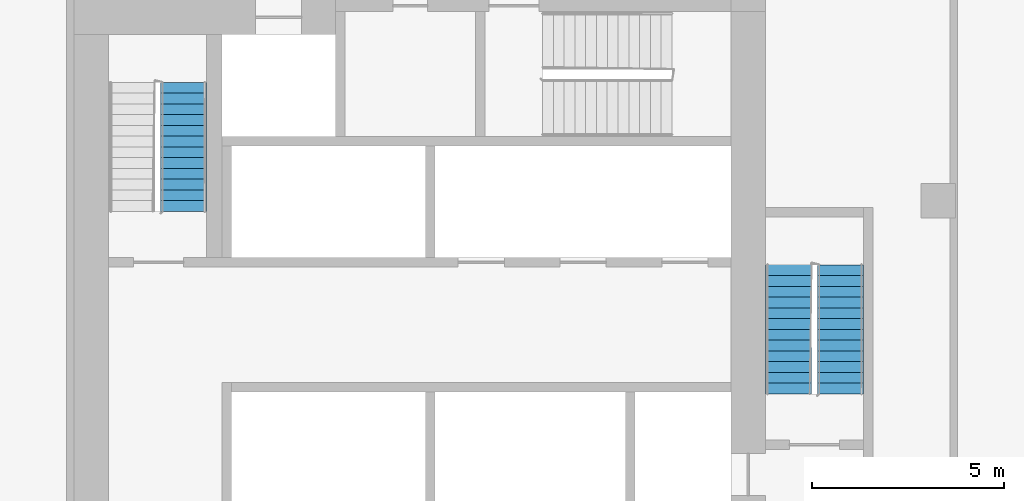
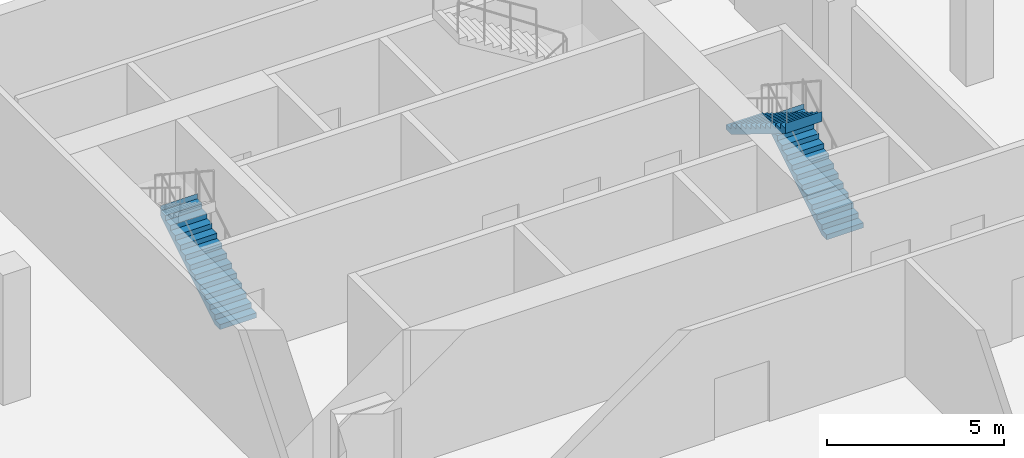
# One storey, part 15 of 19: 3 stair flights, 2 elements without a shape of their own.
"""IFC4 building model written with IfcOpenShell, lengths in metres."""

from ifc_helpers import new_model, si_unit, direction, frame, origin, place, context, subcontext, project, spatial, faceted_brep, material, type_object, element, aggregate, save


model = new_model("IFC4")

# Units and contexts
model_context = context("Model", 3, precision=1e-05, world=origin(), true_north=direction((0.0, 1.0)))
body_context = subcontext(model_context, "Body", "Model", "MODEL_VIEW")
ifc_project = project(units=[si_unit("LENGTHUNIT", "METRE"), si_unit("AREAUNIT", "SQUARE_METRE"), si_unit("VOLUMEUNIT", "CUBIC_METRE"), si_unit("PLANEANGLEUNIT", "RADIAN"), si_unit("MASSUNIT", "GRAM", prefix="KILO")], contexts=[model_context])

# Site, building, storey
site_placement = place(None, origin())
site = spatial("IfcSite", under=ifc_project, at=site_placement, CompositionType="ELEMENT")
building_placement = place(site_placement, origin())
building = spatial("IfcBuilding", under=site, at=building_placement, Name="Kajstack Hotel Tower", CompositionType="ELEMENT")
storey_placement = place(building_placement, frame((0.0, 0.0, 33.5)))
storey = spatial("IfcBuildingStorey", under=building, at=storey_placement, Name="L05", CompositionType="ELEMENT", Elevation=33.5)

# Stair, stair flights
ifc_material = material(Name="Concrete C40/50", Category="concrete")
stair_type = type_object("IfcStairType", Name="Exit stair 1200", PredefinedType="HALF_TURN_STAIR", material=ifc_material)
stair_1_placement = place(storey_placement, origin())
stair_1 = element("IfcStair", 1, at=stair_1_placement, inside=storey, type_object=stair_type, Name="L05 stair E1", PredefinedType="HALF_TURN_STAIR")
stair_flight_type = type_object("IfcStairFlightType", Name="Exit stair flight 1200", PredefinedType="STRAIGHT", material=ifc_material)
stair_flight_1_placement = place(storey_placement, frame((33.449951171875, 5.25, 0.0), z_axis=(0.0, 0.0, 1.0), x_axis=(0.0, 1.0, 0.0)))
stair_flight_1 = element("IfcStairFlight", 2, at=stair_flight_1_placement, type_object=stair_flight_type, Name="E1 flight 1", NumberOfRisers=13, NumberOfTreads=12, PredefinedType="STRAIGHT", RiserHeight=0.173076923, TreadLength=0.28, context=body_context, shape_type="Brep", body=[
    faceted_brep([(0.28564453125, -0.60009765625, 0.0), (3.360595703125, -0.60009765625, 1.900634765625), (3.360595703125, -0.60009765625, 2.25), (3.360107421875, -0.60009765625, 2.25), (3.360107421875, -0.60009765625, 2.076904296875), (3.080078125, -0.60009765625, 2.076904296875), (3.080078125, -0.60009765625, 1.90380859375), (2.800048828125, -0.60009765625, 1.90380859375), (2.800048828125, -0.60009765625, 1.730712890625), (2.52001953125, -0.60009765625, 1.730712890625), (2.52001953125, -0.60009765625, 1.5576171875), (2.239990234375, -0.60009765625, 1.5576171875), (2.239990234375, -0.60009765625, 1.384521484375), (1.9599609375, -0.60009765625, 1.384521484375), (1.9599609375, -0.60009765625, 1.21142578125), (1.679931640625, -0.60009765625, 1.21142578125), (1.679931640625, -0.60009765625, 1.03857421875), (1.39990234375, -0.60009765625, 1.03857421875), (1.39990234375, -0.60009765625, 0.865478515625), (1.1201171875, -0.60009765625, 0.865478515625), (1.1201171875, -0.60009765625, 0.6923828125), (0.840087890625, -0.60009765625, 0.6923828125), (0.840087890625, -0.60009765625, 0.519287109375), (0.56005859375, -0.60009765625, 0.519287109375), (0.56005859375, -0.60009765625, 0.34619140625), (0.280029296875, -0.60009765625, 0.34619140625), (0.280029296875, -0.60009765625, 0.173095703125), (-0.00048828125, -0.60009765625, 0.173095703125), (-0.00048828125, -0.60009765625, 0.0), (-0.00048828125, 0.60009765625, 0.0), (-0.00048828125, 0.60009765625, 0.173095703125), (0.280029296875, 0.60009765625, 0.173095703125), (0.280029296875, 0.60009765625, 0.34619140625), (0.56005859375, 0.60009765625, 0.34619140625), (0.56005859375, 0.60009765625, 0.519287109375), (0.840087890625, 0.60009765625, 0.519287109375), (0.840087890625, 0.60009765625, 0.6923828125), (1.1201171875, 0.60009765625, 0.6923828125), (1.1201171875, 0.60009765625, 0.865478515625), (1.39990234375, 0.60009765625, 0.865478515625), (1.39990234375, 0.60009765625, 1.03857421875), (1.679931640625, 0.60009765625, 1.03857421875), (1.679931640625, 0.60009765625, 1.21142578125), (1.9599609375, 0.60009765625, 1.21142578125), (1.9599609375, 0.60009765625, 1.384521484375), (2.239990234375, 0.60009765625, 1.384521484375), (2.239990234375, 0.60009765625, 1.5576171875), (2.52001953125, 0.60009765625, 1.5576171875), (2.52001953125, 0.60009765625, 1.730712890625), (2.800048828125, 0.60009765625, 1.730712890625), (2.800048828125, 0.60009765625, 1.90380859375), (3.080078125, 0.60009765625, 1.90380859375), (3.080078125, 0.60009765625, 2.076904296875), (3.360107421875, 0.60009765625, 2.076904296875), (3.360107421875, 0.60009765625, 2.25), (3.360595703125, 0.60009765625, 2.25), (3.360595703125, 0.60009765625, 1.900634765625), (0.28564453125, 0.60009765625, 0.0), (-0.00048828125, -0.300048828125, 0.173095703125), (-0.00048828125, 0.0, 0.173095703125), (-0.00048828125, 0.300048828125, 0.173095703125), (-0.00048828125, 0.300048828125, 0.0), (-0.00048828125, 0.0, 0.0), (-0.00048828125, -0.300048828125, 0.0), (0.280029296875, -0.300048828125, 0.173095703125), (0.280029296875, 0.0, 0.173095703125), (0.280029296875, 0.300048828125, 0.173095703125), (0.280029296875, -0.300048828125, 0.34619140625), (0.280029296875, 0.0, 0.34619140625), (0.280029296875, 0.300048828125, 0.34619140625), (0.56005859375, -0.300048828125, 0.34619140625), (0.56005859375, 0.0, 0.34619140625), (0.56005859375, 0.300048828125, 0.34619140625), (0.56005859375, -0.300048828125, 0.519287109375), (0.56005859375, 0.0, 0.519287109375), (0.56005859375, 0.300048828125, 0.519287109375), (0.840087890625, -0.300048828125, 0.519287109375), (0.840087890625, 0.0, 0.519287109375), (0.840087890625, 0.300048828125, 0.519287109375), (0.840087890625, -0.300048828125, 0.6923828125), (0.840087890625, 0.0, 0.6923828125), (0.840087890625, 0.300048828125, 0.6923828125), (1.1201171875, -0.300048828125, 0.6923828125), (1.1201171875, 0.0, 0.6923828125), (1.1201171875, 0.300048828125, 0.6923828125), (1.1201171875, -0.300048828125, 0.865478515625), (1.1201171875, 0.0, 0.865478515625), (1.1201171875, 0.300048828125, 0.865478515625), (1.39990234375, -0.300048828125, 0.865478515625), (1.39990234375, 0.0, 0.865478515625), (1.39990234375, 0.300048828125, 0.865478515625), (1.39990234375, -0.300048828125, 1.03857421875), (1.39990234375, 0.0, 1.03857421875), (1.39990234375, 0.300048828125, 1.03857421875), (1.679931640625, -0.300048828125, 1.03857421875), (1.679931640625, 0.0, 1.03857421875), (1.679931640625, 0.300048828125, 1.03857421875), (1.679931640625, -0.300048828125, 1.21142578125), (1.679931640625, 0.0, 1.21142578125), (1.679931640625, 0.300048828125, 1.21142578125), (1.9599609375, -0.300048828125, 1.21142578125), (1.9599609375, 0.0, 1.21142578125), (1.9599609375, 0.300048828125, 1.21142578125), (1.9599609375, -0.300048828125, 1.384521484375), (1.9599609375, 0.0, 1.384521484375), (1.9599609375, 0.300048828125, 1.384521484375), (2.239990234375, -0.300048828125, 1.384521484375), (2.239990234375, 0.0, 1.384521484375), (2.239990234375, 0.300048828125, 1.384521484375), (2.239990234375, -0.300048828125, 1.5576171875), (2.239990234375, 0.0, 1.5576171875), (2.239990234375, 0.300048828125, 1.5576171875), (2.52001953125, -0.300048828125, 1.5576171875), (2.52001953125, 0.0, 1.5576171875), (2.52001953125, 0.300048828125, 1.5576171875), (2.52001953125, -0.300048828125, 1.730712890625), (2.52001953125, 0.0, 1.730712890625), (2.52001953125, 0.300048828125, 1.730712890625), (2.800048828125, -0.300048828125, 1.730712890625), (2.800048828125, 0.0, 1.730712890625), (2.800048828125, 0.300048828125, 1.730712890625), (2.800048828125, -0.300048828125, 1.90380859375), (2.800048828125, 0.0, 1.90380859375), (2.800048828125, 0.300048828125, 1.90380859375), (3.080078125, -0.300048828125, 1.90380859375), (3.080078125, 0.0, 1.90380859375), (3.080078125, 0.300048828125, 1.90380859375), (3.080078125, -0.300048828125, 2.076904296875), (3.080078125, 0.0, 2.076904296875), (3.080078125, 0.300048828125, 2.076904296875), (3.360107421875, -0.300048828125, 2.076904296875), (3.360107421875, 0.0, 2.076904296875), (3.360107421875, 0.300048828125, 2.076904296875), (3.360107421875, -0.300048828125, 2.25), (3.360107421875, 0.0, 2.25), (3.360107421875, 0.300048828125, 2.25), (3.360595703125, -0.300048828125, 2.25), (3.360595703125, 0.0, 2.25), (3.360595703125, 0.300048828125, 2.25), (3.360595703125, -0.300048828125, 1.900634765625), (3.360595703125, 0.0, 1.900634765625), (3.360595703125, 0.300048828125, 1.900634765625), (0.28564453125, -0.300048828125, 0.0), (0.28564453125, 0.0, 0.0), (0.28564453125, 0.300048828125, 0.0)], [[[0, 1, 2, 3, 4, 5, 6, 7, 8, 9, 10, 11, 12, 13, 14, 15, 16, 17, 18, 19, 20, 21, 22, 23, 24, 25, 26, 27, 28]], [[29, 30, 31, 32, 33, 34, 35, 36, 37, 38, 39, 40, 41, 42, 43, 44, 45, 46, 47, 48, 49, 50, 51, 52, 53, 54, 55, 56, 57]], [[27, 58, 59, 60, 30, 29, 61, 62, 63, 28]], [[26, 64, 65, 66, 31, 30, 60, 59, 58, 27]], [[25, 67, 68, 69, 32, 31, 66, 65, 64, 26]], [[24, 70, 71, 72, 33, 32, 69, 68, 67, 25]], [[23, 73, 74, 75, 34, 33, 72, 71, 70, 24]], [[22, 76, 77, 78, 35, 34, 75, 74, 73, 23]], [[21, 79, 80, 81, 36, 35, 78, 77, 76, 22]], [[20, 82, 83, 84, 37, 36, 81, 80, 79, 21]], [[19, 85, 86, 87, 38, 37, 84, 83, 82, 20]], [[18, 88, 89, 90, 39, 38, 87, 86, 85, 19]], [[17, 91, 92, 93, 40, 39, 90, 89, 88, 18]], [[16, 94, 95, 96, 41, 40, 93, 92, 91, 17]], [[15, 97, 98, 99, 42, 41, 96, 95, 94, 16]], [[14, 100, 101, 102, 43, 42, 99, 98, 97, 15]], [[13, 103, 104, 105, 44, 43, 102, 101, 100, 14]], [[12, 106, 107, 108, 45, 44, 105, 104, 103, 13]], [[11, 109, 110, 111, 46, 45, 108, 107, 106, 12]], [[10, 112, 113, 114, 47, 46, 111, 110, 109, 11]], [[9, 115, 116, 117, 48, 47, 114, 113, 112, 10]], [[8, 118, 119, 120, 49, 48, 117, 116, 115, 9]], [[7, 121, 122, 123, 50, 49, 120, 119, 118, 8]], [[6, 124, 125, 126, 51, 50, 123, 122, 121, 7]], [[5, 127, 128, 129, 52, 51, 126, 125, 124, 6]], [[4, 130, 131, 132, 53, 52, 129, 128, 127, 5]], [[3, 133, 134, 135, 54, 53, 132, 131, 130, 4]], [[2, 136, 137, 138, 55, 54, 135, 134, 133, 3]], [[1, 139, 140, 141, 56, 55, 138, 137, 136, 2]], [[0, 142, 143, 144, 57, 56, 141, 140, 139, 1]], [[28, 63, 62, 61, 29, 57, 144, 143, 142, 0]]]),
])
stair_flight_2_placement = place(storey_placement, frame((32.10009765625, 8.610107421875, 2.25), z_axis=(0.0, 0.0, 1.0), x_axis=(0.0, -1.0, 0.0)))
stair_flight_2 = element("IfcStairFlight", 3, at=stair_flight_2_placement, type_object=stair_flight_type, Name="E1 flight 2", NumberOfRisers=13, NumberOfTreads=12, PredefinedType="STRAIGHT", RiserHeight=0.173076923, TreadLength=0.28, context=body_context, shape_type="Brep", body=[
    faceted_brep([(0.28564453125, -0.60009765625, 0.0), (3.360595703125, -0.60009765625, 1.900634765625), (3.360595703125, -0.60009765625, 2.25), (3.360107421875, -0.60009765625, 2.25), (3.360107421875, -0.60009765625, 2.076904296875), (3.080078125, -0.60009765625, 2.076904296875), (3.080078125, -0.60009765625, 1.90380859375), (2.800048828125, -0.60009765625, 1.90380859375), (2.800048828125, -0.60009765625, 1.730712890625), (2.52001953125, -0.60009765625, 1.730712890625), (2.52001953125, -0.60009765625, 1.5576171875), (2.239990234375, -0.60009765625, 1.5576171875), (2.239990234375, -0.60009765625, 1.384521484375), (1.9599609375, -0.60009765625, 1.384521484375), (1.9599609375, -0.60009765625, 1.21142578125), (1.679931640625, -0.60009765625, 1.21142578125), (1.679931640625, -0.60009765625, 1.03857421875), (1.39990234375, -0.60009765625, 1.03857421875), (1.39990234375, -0.60009765625, 0.865478515625), (1.1201171875, -0.60009765625, 0.865478515625), (1.1201171875, -0.60009765625, 0.6923828125), (0.840087890625, -0.60009765625, 0.6923828125), (0.840087890625, -0.60009765625, 0.519287109375), (0.56005859375, -0.60009765625, 0.519287109375), (0.56005859375, -0.60009765625, 0.34619140625), (0.280029296875, -0.60009765625, 0.34619140625), (0.280029296875, -0.60009765625, 0.173095703125), (-0.00048828125, -0.60009765625, 0.173095703125), (-0.00048828125, -0.60009765625, 0.0), (-0.00048828125, 0.60009765625, 0.0), (-0.00048828125, 0.60009765625, 0.173095703125), (0.280029296875, 0.60009765625, 0.173095703125), (0.280029296875, 0.60009765625, 0.34619140625), (0.56005859375, 0.60009765625, 0.34619140625), (0.56005859375, 0.60009765625, 0.519287109375), (0.840087890625, 0.60009765625, 0.519287109375), (0.840087890625, 0.60009765625, 0.6923828125), (1.1201171875, 0.60009765625, 0.6923828125), (1.1201171875, 0.60009765625, 0.865478515625), (1.39990234375, 0.60009765625, 0.865478515625), (1.39990234375, 0.60009765625, 1.03857421875), (1.679931640625, 0.60009765625, 1.03857421875), (1.679931640625, 0.60009765625, 1.21142578125), (1.9599609375, 0.60009765625, 1.21142578125), (1.9599609375, 0.60009765625, 1.384521484375), (2.239990234375, 0.60009765625, 1.384521484375), (2.239990234375, 0.60009765625, 1.5576171875), (2.52001953125, 0.60009765625, 1.5576171875), (2.52001953125, 0.60009765625, 1.730712890625), (2.800048828125, 0.60009765625, 1.730712890625), (2.800048828125, 0.60009765625, 1.90380859375), (3.080078125, 0.60009765625, 1.90380859375), (3.080078125, 0.60009765625, 2.076904296875), (3.360107421875, 0.60009765625, 2.076904296875), (3.360107421875, 0.60009765625, 2.25), (3.360595703125, 0.60009765625, 2.25), (3.360595703125, 0.60009765625, 1.900634765625), (0.28564453125, 0.60009765625, 0.0), (-0.00048828125, -0.300048828125, 0.173095703125), (-0.00048828125, 0.0, 0.173095703125), (-0.00048828125, 0.300048828125, 0.173095703125), (-0.00048828125, 0.300048828125, 0.0), (-0.00048828125, 0.0, 0.0), (-0.00048828125, -0.300048828125, 0.0), (0.280029296875, -0.300048828125, 0.173095703125), (0.280029296875, 0.0, 0.173095703125), (0.280029296875, 0.300048828125, 0.173095703125), (0.280029296875, -0.300048828125, 0.34619140625), (0.280029296875, 0.0, 0.34619140625), (0.280029296875, 0.300048828125, 0.34619140625), (0.56005859375, -0.300048828125, 0.34619140625), (0.56005859375, 0.0, 0.34619140625), (0.56005859375, 0.300048828125, 0.34619140625), (0.56005859375, -0.300048828125, 0.519287109375), (0.56005859375, 0.0, 0.519287109375), (0.56005859375, 0.300048828125, 0.519287109375), (0.840087890625, -0.300048828125, 0.519287109375), (0.840087890625, 0.0, 0.519287109375), (0.840087890625, 0.300048828125, 0.519287109375), (0.840087890625, -0.300048828125, 0.6923828125), (0.840087890625, 0.0, 0.6923828125), (0.840087890625, 0.300048828125, 0.6923828125), (1.1201171875, -0.300048828125, 0.6923828125), (1.1201171875, 0.0, 0.6923828125), (1.1201171875, 0.300048828125, 0.6923828125), (1.1201171875, -0.300048828125, 0.865478515625), (1.1201171875, 0.0, 0.865478515625), (1.1201171875, 0.300048828125, 0.865478515625), (1.39990234375, -0.300048828125, 0.865478515625), (1.39990234375, 0.0, 0.865478515625), (1.39990234375, 0.300048828125, 0.865478515625), (1.39990234375, -0.300048828125, 1.03857421875), (1.39990234375, 0.0, 1.03857421875), (1.39990234375, 0.300048828125, 1.03857421875), (1.679931640625, -0.300048828125, 1.03857421875), (1.679931640625, 0.0, 1.03857421875), (1.679931640625, 0.300048828125, 1.03857421875), (1.679931640625, -0.300048828125, 1.21142578125), (1.679931640625, 0.0, 1.21142578125), (1.679931640625, 0.300048828125, 1.21142578125), (1.9599609375, -0.300048828125, 1.21142578125), (1.9599609375, 0.0, 1.21142578125), (1.9599609375, 0.300048828125, 1.21142578125), (1.9599609375, -0.300048828125, 1.384521484375), (1.9599609375, 0.0, 1.384521484375), (1.9599609375, 0.300048828125, 1.384521484375), (2.239990234375, -0.300048828125, 1.384521484375), (2.239990234375, 0.0, 1.384521484375), (2.239990234375, 0.300048828125, 1.384521484375), (2.239990234375, -0.300048828125, 1.5576171875), (2.239990234375, 0.0, 1.5576171875), (2.239990234375, 0.300048828125, 1.5576171875), (2.52001953125, -0.300048828125, 1.5576171875), (2.52001953125, 0.0, 1.5576171875), (2.52001953125, 0.300048828125, 1.5576171875), (2.52001953125, -0.300048828125, 1.730712890625), (2.52001953125, 0.0, 1.730712890625), (2.52001953125, 0.300048828125, 1.730712890625), (2.800048828125, -0.300048828125, 1.730712890625), (2.800048828125, 0.0, 1.730712890625), (2.800048828125, 0.300048828125, 1.730712890625), (2.800048828125, -0.300048828125, 1.90380859375), (2.800048828125, 0.0, 1.90380859375), (2.800048828125, 0.300048828125, 1.90380859375), (3.080078125, -0.300048828125, 1.90380859375), (3.080078125, 0.0, 1.90380859375), (3.080078125, 0.300048828125, 1.90380859375), (3.080078125, -0.300048828125, 2.076904296875), (3.080078125, 0.0, 2.076904296875), (3.080078125, 0.300048828125, 2.076904296875), (3.360107421875, -0.300048828125, 2.076904296875), (3.360107421875, 0.0, 2.076904296875), (3.360107421875, 0.300048828125, 2.076904296875), (3.360107421875, -0.300048828125, 2.25), (3.360107421875, 0.0, 2.25), (3.360107421875, 0.300048828125, 2.25), (3.360595703125, -0.300048828125, 2.25), (3.360595703125, 0.0, 2.25), (3.360595703125, 0.300048828125, 2.25), (3.360595703125, -0.300048828125, 1.900634765625), (3.360595703125, 0.0, 1.900634765625), (3.360595703125, 0.300048828125, 1.900634765625), (0.28564453125, -0.300048828125, 0.0), (0.28564453125, 0.0, 0.0), (0.28564453125, 0.300048828125, 0.0)], [[[0, 1, 2, 3, 4, 5, 6, 7, 8, 9, 10, 11, 12, 13, 14, 15, 16, 17, 18, 19, 20, 21, 22, 23, 24, 25, 26, 27, 28]], [[29, 30, 31, 32, 33, 34, 35, 36, 37, 38, 39, 40, 41, 42, 43, 44, 45, 46, 47, 48, 49, 50, 51, 52, 53, 54, 55, 56, 57]], [[27, 58, 59, 60, 30, 29, 61, 62, 63, 28]], [[26, 64, 65, 66, 31, 30, 60, 59, 58, 27]], [[25, 67, 68, 69, 32, 31, 66, 65, 64, 26]], [[24, 70, 71, 72, 33, 32, 69, 68, 67, 25]], [[23, 73, 74, 75, 34, 33, 72, 71, 70, 24]], [[22, 76, 77, 78, 35, 34, 75, 74, 73, 23]], [[21, 79, 80, 81, 36, 35, 78, 77, 76, 22]], [[20, 82, 83, 84, 37, 36, 81, 80, 79, 21]], [[19, 85, 86, 87, 38, 37, 84, 83, 82, 20]], [[18, 88, 89, 90, 39, 38, 87, 86, 85, 19]], [[17, 91, 92, 93, 40, 39, 90, 89, 88, 18]], [[16, 94, 95, 96, 41, 40, 93, 92, 91, 17]], [[15, 97, 98, 99, 42, 41, 96, 95, 94, 16]], [[14, 100, 101, 102, 43, 42, 99, 98, 97, 15]], [[13, 103, 104, 105, 44, 43, 102, 101, 100, 14]], [[12, 106, 107, 108, 45, 44, 105, 104, 103, 13]], [[11, 109, 110, 111, 46, 45, 108, 107, 106, 12]], [[10, 112, 113, 114, 47, 46, 111, 110, 109, 11]], [[9, 115, 116, 117, 48, 47, 114, 113, 112, 10]], [[8, 118, 119, 120, 49, 48, 117, 116, 115, 9]], [[7, 121, 122, 123, 50, 49, 120, 119, 118, 8]], [[6, 124, 125, 126, 51, 50, 123, 122, 121, 7]], [[5, 127, 128, 129, 52, 51, 126, 125, 124, 6]], [[4, 130, 131, 132, 53, 52, 129, 128, 127, 5]], [[3, 133, 134, 135, 54, 53, 132, 131, 130, 4]], [[2, 136, 137, 138, 55, 54, 135, 134, 133, 3]], [[1, 139, 140, 141, 56, 55, 138, 137, 136, 2]], [[0, 142, 143, 144, 57, 56, 141, 140, 139, 1]], [[28, 63, 62, 61, 29, 57, 144, 143, 142, 0]]]),
])
aggregate(stair_1, [stair_flight_1, stair_flight_2])

# Stair, stair flight
stair_2_placement = place(storey_placement, origin())
stair_2 = element("IfcStair", 4, at=stair_2_placement, inside=storey, type_object=stair_type, Name="L05 stair E2", PredefinedType="HALF_TURN_STAIR")
stair_flight_3_placement = place(storey_placement, frame((16.35009765625, 10.0, 0.0), z_axis=(0.0, 0.0, 1.0), x_axis=(0.0, 1.0, 0.0)))
stair_flight_3 = element("IfcStairFlight", 5, at=stair_flight_3_placement, type_object=stair_flight_type, Name="E2 flight 1", NumberOfRisers=13, NumberOfTreads=12, PredefinedType="STRAIGHT", RiserHeight=0.173076923, TreadLength=0.28, context=body_context, shape_type="Brep", body=[
    faceted_brep([(0.28564453125, -0.60009765625, 0.0), (3.360595703125, -0.60009765625, 1.900634765625), (3.360595703125, -0.60009765625, 2.25), (3.360107421875, -0.60009765625, 2.25), (3.360107421875, -0.60009765625, 2.076904296875), (3.080078125, -0.60009765625, 2.076904296875), (3.080078125, -0.60009765625, 1.90380859375), (2.800048828125, -0.60009765625, 1.90380859375), (2.800048828125, -0.60009765625, 1.730712890625), (2.52001953125, -0.60009765625, 1.730712890625), (2.52001953125, -0.60009765625, 1.5576171875), (2.239990234375, -0.60009765625, 1.5576171875), (2.239990234375, -0.60009765625, 1.384521484375), (1.9599609375, -0.60009765625, 1.384521484375), (1.9599609375, -0.60009765625, 1.21142578125), (1.679931640625, -0.60009765625, 1.21142578125), (1.679931640625, -0.60009765625, 1.03857421875), (1.39990234375, -0.60009765625, 1.03857421875), (1.39990234375, -0.60009765625, 0.865478515625), (1.1201171875, -0.60009765625, 0.865478515625), (1.1201171875, -0.60009765625, 0.6923828125), (0.840087890625, -0.60009765625, 0.6923828125), (0.840087890625, -0.60009765625, 0.519287109375), (0.56005859375, -0.60009765625, 0.519287109375), (0.56005859375, -0.60009765625, 0.34619140625), (0.280029296875, -0.60009765625, 0.34619140625), (0.280029296875, -0.60009765625, 0.173095703125), (-0.00048828125, -0.60009765625, 0.173095703125), (-0.00048828125, -0.60009765625, 0.0), (-0.00048828125, 0.60009765625, 0.0), (-0.00048828125, 0.60009765625, 0.173095703125), (0.280029296875, 0.60009765625, 0.173095703125), (0.280029296875, 0.60009765625, 0.34619140625), (0.56005859375, 0.60009765625, 0.34619140625), (0.56005859375, 0.60009765625, 0.519287109375), (0.840087890625, 0.60009765625, 0.519287109375), (0.840087890625, 0.60009765625, 0.6923828125), (1.1201171875, 0.60009765625, 0.6923828125), (1.1201171875, 0.60009765625, 0.865478515625), (1.39990234375, 0.60009765625, 0.865478515625), (1.39990234375, 0.60009765625, 1.03857421875), (1.679931640625, 0.60009765625, 1.03857421875), (1.679931640625, 0.60009765625, 1.21142578125), (1.9599609375, 0.60009765625, 1.21142578125), (1.9599609375, 0.60009765625, 1.384521484375), (2.239990234375, 0.60009765625, 1.384521484375), (2.239990234375, 0.60009765625, 1.5576171875), (2.52001953125, 0.60009765625, 1.5576171875), (2.52001953125, 0.60009765625, 1.730712890625), (2.800048828125, 0.60009765625, 1.730712890625), (2.800048828125, 0.60009765625, 1.90380859375), (3.080078125, 0.60009765625, 1.90380859375), (3.080078125, 0.60009765625, 2.076904296875), (3.360107421875, 0.60009765625, 2.076904296875), (3.360107421875, 0.60009765625, 2.25), (3.360595703125, 0.60009765625, 2.25), (3.360595703125, 0.60009765625, 1.900634765625), (0.28564453125, 0.60009765625, 0.0), (-0.00048828125, -0.300048828125, 0.173095703125), (-0.00048828125, 0.0, 0.173095703125), (-0.00048828125, 0.300048828125, 0.173095703125), (-0.00048828125, 0.300048828125, 0.0), (-0.00048828125, 0.0, 0.0), (-0.00048828125, -0.300048828125, 0.0), (0.280029296875, -0.300048828125, 0.173095703125), (0.280029296875, 0.0, 0.173095703125), (0.280029296875, 0.300048828125, 0.173095703125), (0.280029296875, -0.300048828125, 0.34619140625), (0.280029296875, 0.0, 0.34619140625), (0.280029296875, 0.300048828125, 0.34619140625), (0.56005859375, -0.300048828125, 0.34619140625), (0.56005859375, 0.0, 0.34619140625), (0.56005859375, 0.300048828125, 0.34619140625), (0.56005859375, -0.300048828125, 0.519287109375), (0.56005859375, 0.0, 0.519287109375), (0.56005859375, 0.300048828125, 0.519287109375), (0.840087890625, -0.300048828125, 0.519287109375), (0.840087890625, 0.0, 0.519287109375), (0.840087890625, 0.300048828125, 0.519287109375), (0.840087890625, -0.300048828125, 0.6923828125), (0.840087890625, 0.0, 0.6923828125), (0.840087890625, 0.300048828125, 0.6923828125), (1.1201171875, -0.300048828125, 0.6923828125), (1.1201171875, 0.0, 0.6923828125), (1.1201171875, 0.300048828125, 0.6923828125), (1.1201171875, -0.300048828125, 0.865478515625), (1.1201171875, 0.0, 0.865478515625), (1.1201171875, 0.300048828125, 0.865478515625), (1.39990234375, -0.300048828125, 0.865478515625), (1.39990234375, 0.0, 0.865478515625), (1.39990234375, 0.300048828125, 0.865478515625), (1.39990234375, -0.300048828125, 1.03857421875), (1.39990234375, 0.0, 1.03857421875), (1.39990234375, 0.300048828125, 1.03857421875), (1.679931640625, -0.300048828125, 1.03857421875), (1.679931640625, 0.0, 1.03857421875), (1.679931640625, 0.300048828125, 1.03857421875), (1.679931640625, -0.300048828125, 1.21142578125), (1.679931640625, 0.0, 1.21142578125), (1.679931640625, 0.300048828125, 1.21142578125), (1.9599609375, -0.300048828125, 1.21142578125), (1.9599609375, 0.0, 1.21142578125), (1.9599609375, 0.300048828125, 1.21142578125), (1.9599609375, -0.300048828125, 1.384521484375), (1.9599609375, 0.0, 1.384521484375), (1.9599609375, 0.300048828125, 1.384521484375), (2.239990234375, -0.300048828125, 1.384521484375), (2.239990234375, 0.0, 1.384521484375), (2.239990234375, 0.300048828125, 1.384521484375), (2.239990234375, -0.300048828125, 1.5576171875), (2.239990234375, 0.0, 1.5576171875), (2.239990234375, 0.300048828125, 1.5576171875), (2.52001953125, -0.300048828125, 1.5576171875), (2.52001953125, 0.0, 1.5576171875), (2.52001953125, 0.300048828125, 1.5576171875), (2.52001953125, -0.300048828125, 1.730712890625), (2.52001953125, 0.0, 1.730712890625), (2.52001953125, 0.300048828125, 1.730712890625), (2.800048828125, -0.300048828125, 1.730712890625), (2.800048828125, 0.0, 1.730712890625), (2.800048828125, 0.300048828125, 1.730712890625), (2.800048828125, -0.300048828125, 1.90380859375), (2.800048828125, 0.0, 1.90380859375), (2.800048828125, 0.300048828125, 1.90380859375), (3.080078125, -0.300048828125, 1.90380859375), (3.080078125, 0.0, 1.90380859375), (3.080078125, 0.300048828125, 1.90380859375), (3.080078125, -0.300048828125, 2.076904296875), (3.080078125, 0.0, 2.076904296875), (3.080078125, 0.300048828125, 2.076904296875), (3.360107421875, -0.300048828125, 2.076904296875), (3.360107421875, 0.0, 2.076904296875), (3.360107421875, 0.300048828125, 2.076904296875), (3.360107421875, -0.300048828125, 2.25), (3.360107421875, 0.0, 2.25), (3.360107421875, 0.300048828125, 2.25), (3.360595703125, -0.300048828125, 2.25), (3.360595703125, 0.0, 2.25), (3.360595703125, 0.300048828125, 2.25), (3.360595703125, -0.300048828125, 1.900634765625), (3.360595703125, 0.0, 1.900634765625), (3.360595703125, 0.300048828125, 1.900634765625), (0.28564453125, -0.300048828125, 0.0), (0.28564453125, 0.0, 0.0), (0.28564453125, 0.300048828125, 0.0)], [[[0, 1, 2, 3, 4, 5, 6, 7, 8, 9, 10, 11, 12, 13, 14, 15, 16, 17, 18, 19, 20, 21, 22, 23, 24, 25, 26, 27, 28]], [[29, 30, 31, 32, 33, 34, 35, 36, 37, 38, 39, 40, 41, 42, 43, 44, 45, 46, 47, 48, 49, 50, 51, 52, 53, 54, 55, 56, 57]], [[27, 58, 59, 60, 30, 29, 61, 62, 63, 28]], [[26, 64, 65, 66, 31, 30, 60, 59, 58, 27]], [[25, 67, 68, 69, 32, 31, 66, 65, 64, 26]], [[24, 70, 71, 72, 33, 32, 69, 68, 67, 25]], [[23, 73, 74, 75, 34, 33, 72, 71, 70, 24]], [[22, 76, 77, 78, 35, 34, 75, 74, 73, 23]], [[21, 79, 80, 81, 36, 35, 78, 77, 76, 22]], [[20, 82, 83, 84, 37, 36, 81, 80, 79, 21]], [[19, 85, 86, 87, 38, 37, 84, 83, 82, 20]], [[18, 88, 89, 90, 39, 38, 87, 86, 85, 19]], [[17, 91, 92, 93, 40, 39, 90, 89, 88, 18]], [[16, 94, 95, 96, 41, 40, 93, 92, 91, 17]], [[15, 97, 98, 99, 42, 41, 96, 95, 94, 16]], [[14, 100, 101, 102, 43, 42, 99, 98, 97, 15]], [[13, 103, 104, 105, 44, 43, 102, 101, 100, 14]], [[12, 106, 107, 108, 45, 44, 105, 104, 103, 13]], [[11, 109, 110, 111, 46, 45, 108, 107, 106, 12]], [[10, 112, 113, 114, 47, 46, 111, 110, 109, 11]], [[9, 115, 116, 117, 48, 47, 114, 113, 112, 10]], [[8, 118, 119, 120, 49, 48, 117, 116, 115, 9]], [[7, 121, 122, 123, 50, 49, 120, 119, 118, 8]], [[6, 124, 125, 126, 51, 50, 123, 122, 121, 7]], [[5, 127, 128, 129, 52, 51, 126, 125, 124, 6]], [[4, 130, 131, 132, 53, 52, 129, 128, 127, 5]], [[3, 133, 134, 135, 54, 53, 132, 131, 130, 4]], [[2, 136, 137, 138, 55, 54, 135, 134, 133, 3]], [[1, 139, 140, 141, 56, 55, 138, 137, 136, 2]], [[0, 142, 143, 144, 57, 56, 141, 140, 139, 1]], [[28, 63, 62, 61, 29, 57, 144, 143, 142, 0]]]),
])
aggregate(stair_2, [stair_flight_3])

save(model, "model.ifc")
